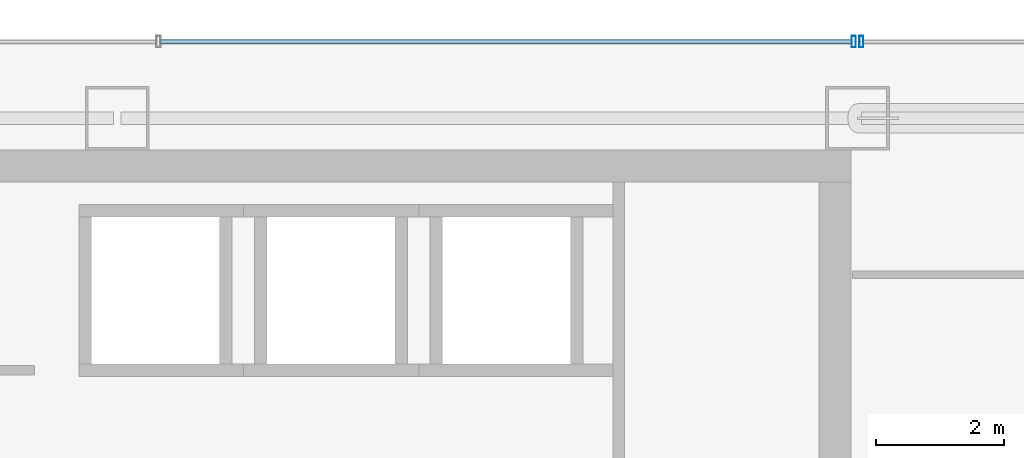
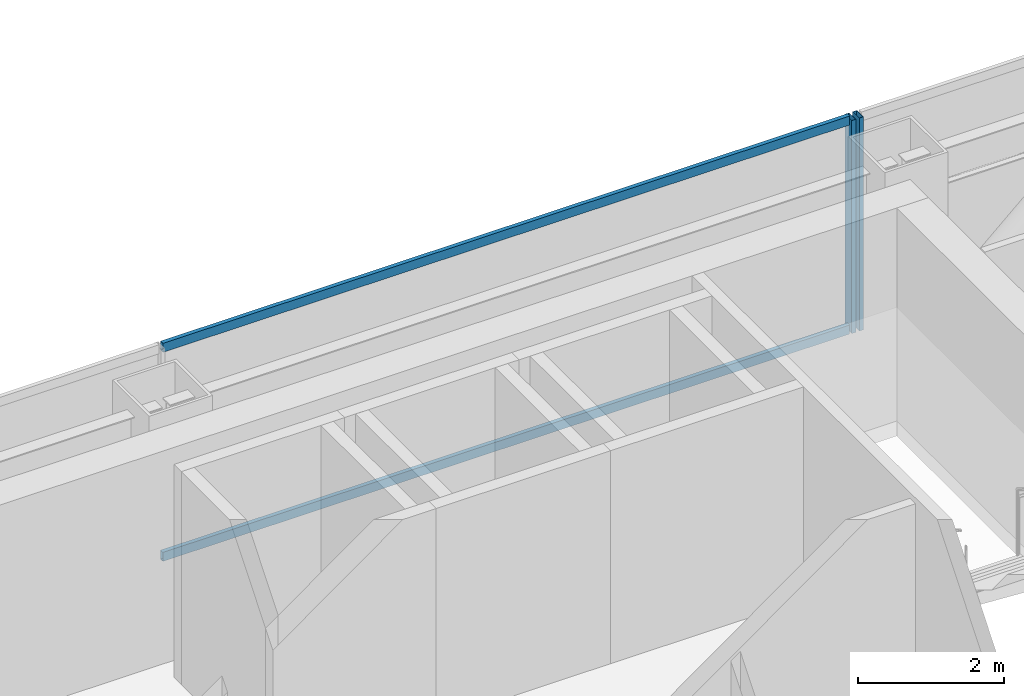
# One storey, part 27 of 37: 4 members, 2 elements without a shape of their own.
"""IFC4 building model written with IfcOpenShell, lengths in metres."""

import ifcopenshell
import ifcopenshell.guid

model = None  # the IFC model being written
_history = None  # IfcOwnerHistory: only IFC2X3 demands one
_inside = {}  # id of a spatial element -> (the spatial element, [elements in it])
_under = {}  # id of a project, library or spatial element -> (it, [spatial elements below it])
_declared = {}  # id of a project -> (the project, [libraries it declares])
_typed = {}  # id of a type object -> (the type object, [elements of that type])
_made_of = {}  # id of a material, layer set ... -> (it, [elements and type objects made of it])


def new_model(schema):
    """Start an empty IFC model of exactly this schema.

    Asked for "IFC4X3", IfcOpenShell would pick the latest addendum, in which some entities
    have other attributes; the version numbers below select the first issue.
    IFC2X3 requires an IfcOwnerHistory on every rooted entity: one is made here for all.
    """
    global model, _history
    if schema == "IFC4X3":
        model = ifcopenshell.file(schema_version=(4, 3, 0, 0))
    else:
        model = ifcopenshell.file(schema=schema)
    _inside.clear()
    _under.clear()
    _declared.clear()
    _typed.clear()
    _made_of.clear()
    _history = None
    if model.schema == "IFC2X3":
        org = make("IfcOrganization", Name="unknown")
        user = make(
            "IfcPersonAndOrganization",
            ThePerson=make("IfcPerson", FamilyName="unknown"),
            TheOrganization=org,
        )
        app = make(
            "IfcApplication",
            ApplicationDeveloper=org,
            Version="unknown",
            ApplicationFullName="unknown",
            ApplicationIdentifier="unknown",
        )
        _history = make(
            "IfcOwnerHistory",
            OwningUser=user,
            OwningApplication=app,
            ChangeAction="ADDED",
            CreationDate=0,
        )
    return model


def make(cls, **values):
    """One entity of the class cls with the attributes given. An attribute that is None is left unset."""
    return model.create_entity(
        cls, **{name: value for name, value in values.items() if value is not None}
    )


def rooted(cls, **values):
    """An entity with a GlobalId (a new one), such as an element, a storey or a relation."""
    return make(cls, GlobalId=ifcopenshell.guid.new(), OwnerHistory=_history, **values)


def si_unit(unit_type, name, prefix=None):
    """IfcSIUnit, for example si_unit("LENGTHUNIT", "METRE", prefix="MILLI")."""
    return make("IfcSIUnit", UnitType=unit_type, Prefix=prefix, Name=name)


def assignment(units):
    """IfcUnitAssignment: the units of a project."""
    return None if units is None else make("IfcUnitAssignment", Units=units)


def point(xyz):
    """IfcCartesianPoint."""
    return None if xyz is None else make("IfcCartesianPoint", Coordinates=xyz)


def direction(xyz):
    """IfcDirection."""
    return None if xyz is None else make("IfcDirection", DirectionRatios=xyz)


def frame(location, z_axis=None, x_axis=None):
    """IfcAxis2Placement3D, a coordinate frame: its origin and axes. An axis left out is left unset."""
    return make(
        "IfcAxis2Placement3D",
        Location=point(location),
        Axis=direction(z_axis),
        RefDirection=direction(x_axis),
    )


def frame_2d(location, x_axis=None):
    """IfcAxis2Placement2D, a coordinate frame in the plane: its origin and x axis."""
    return make(
        "IfcAxis2Placement2D", Location=point(location), RefDirection=direction(x_axis)
    )


def origin():
    """The frame at (0, 0, 0) with its axes left unset."""
    return frame((0.0, 0.0, 0.0))


def origin_2d():
    """The frame at (0, 0) in the plane with its x axis left unset."""
    return frame_2d((0.0, 0.0))


def place(relative_to, where):
    """IfcLocalPlacement: puts the frame where relative to a parent placement (None: the world)."""
    return make(
        "IfcLocalPlacement", PlacementRelTo=relative_to, RelativePlacement=where
    )


def context(
    kind, dimensions, precision=None, world=None, true_north=None, identifier=None
):
    """IfcGeometricRepresentationContext, for example the 3D "Model" context."""
    return make(
        "IfcGeometricRepresentationContext",
        ContextIdentifier=identifier,
        ContextType=kind,
        CoordinateSpaceDimension=dimensions,
        Precision=precision,
        WorldCoordinateSystem=world,
        TrueNorth=true_north,
    )


def subcontext(parent, identifier, kind, view, scale=None):
    """IfcGeometricRepresentationSubContext, for example "Body" below "Model"."""
    return make(
        "IfcGeometricRepresentationSubContext",
        ContextIdentifier=identifier,
        ContextType=kind,
        ParentContext=parent,
        TargetScale=scale,
        TargetView=view,
    )


def project(units=None, contexts=None):
    """IfcProject with its units and contexts."""
    return rooted(
        "IfcProject",
        Name="project",
        RepresentationContexts=contexts,
        UnitsInContext=assignment(units),
    )


def spatial(cls, under=None, at=None, **own):
    """A site, building, storey or space (cls), placed at a placement, below another one or the project."""
    s = rooted(cls, ObjectPlacement=at, **own)
    if under is not None:
        _under.setdefault(under.id(), (under, []))[1].append(s)
    return s


def profile(cls, at=None, kind="AREA", **sizes):
    """A parametric profile (cls). Its sizes go by their IFC names, for example OverallWidth=200.0."""
    return make(cls, ProfileType=kind, Position=at, **sizes)


def hollow_rectangle(**sizes):
    """IfcRectangleHollowProfileDef."""
    return profile("IfcRectangleHollowProfileDef", **sizes)


def extrude(swept, where, along, depth):
    """IfcExtrudedAreaSolid: the profile swept, set in the frame where, extruded along a direction by depth."""
    return make(
        "IfcExtrudedAreaSolid",
        SweptArea=swept,
        Position=where,
        ExtrudedDirection=direction(along),
        Depth=depth,
    )


def shape(context_of_items, identifier, shape_type, items):
    """IfcShapeRepresentation: the items that make up one representation, for example the "Body"."""
    return make(
        "IfcShapeRepresentation",
        ContextOfItems=context_of_items,
        RepresentationIdentifier=identifier,
        RepresentationType=shape_type,
        Items=items,
    )


def material(Name=None, Category=None):
    """IfcMaterial."""
    return make("IfcMaterial", Name=Name, Category=Category)


def material_profile(
    of_material, cross_section, Name=None, Category=None, Priority=None
):
    """IfcMaterialProfile: a cross section and its material."""
    return make(
        "IfcMaterialProfile",
        Name=Name,
        Material=of_material,
        Profile=cross_section,
        Priority=Priority,
        Category=Category,
    )


def profile_set(profiles, Name=None, composite=None):
    """IfcMaterialProfileSet."""
    return make(
        "IfcMaterialProfileSet",
        Name=Name,
        MaterialProfiles=profiles,
        CompositeProfile=composite,
    )


def made_of(thing, what):
    """Note that an element or type object is made of a material, layer set ...; save() writes the relation."""
    if what is not None:
        _made_of.setdefault(what.id(), (what, []))[1].append(thing)
    return thing


def type_object(cls, material=None, **own):
    """A type object (cls), such as IfcWallType, which elements share."""
    return made_of(rooted(cls, **own), material)


def element(
    cls,
    number,
    at=None,
    inside=None,
    cuts=None,
    type_object=None,
    material=None,
    context=None,
    identifier="Body",
    shape_type=None,
    held_by="IfcProductDefinitionShape",
    body=None,
    shapes=None,
    **own,
):
    """One element of the class cls, such as IfcWall. Its Tag is "e" and its number.

    at: its placement. inside: the storey or other place that contains it. cuts: it is an
    opening in that element (IfcRelVoidsElement). A single representation is given by context,
    identifier, shape_type and body (its items); several are given by shapes. held_by: the class
    of the entity that holds the representations. save() writes the other relations.
    """
    e = rooted(cls, Tag="e%d" % number, ObjectPlacement=at, **own)
    if body is not None:
        shapes = [shape(context, identifier, shape_type, body)]
    if shapes is not None:
        e.Representation = make(held_by, Representations=shapes)
    if inside is not None:
        _inside.setdefault(inside.id(), (inside, []))[1].append(e)
    if cuts is not None:
        rooted(
            "IfcRelVoidsElement", RelatingBuildingElement=cuts, RelatedOpeningElement=e
        )
    if type_object is not None:
        _typed.setdefault(type_object.id(), (type_object, []))[1].append(e)
    return made_of(e, material)


def aggregate(whole, parts):
    """IfcRelAggregates: a whole, such as a stair, and the parts it consists of."""
    return rooted("IfcRelAggregates", RelatingObject=whole, RelatedObjects=parts)


def save(model, path):
    """Write the relations noted so far, then the file.

    IfcRelAggregates (storeys below a building ...), IfcRelContainedInSpatialStructure (elements
    in a storey), IfcRelDefinesByType, IfcRelAssociatesMaterial and IfcRelDeclares: one each for
    every whole, place, type object, material and project.
    """
    for whole, parts in _under.values():
        aggregate(whole, parts)
    for where, things in _inside.values():
        rooted(
            "IfcRelContainedInSpatialStructure",
            RelatedElements=things,
            RelatingStructure=where,
        )
    for kind, things in _typed.values():
        rooted("IfcRelDefinesByType", RelatedObjects=things, RelatingType=kind)
    for what, things in _made_of.values():
        rooted("IfcRelAssociatesMaterial", RelatedObjects=things, RelatingMaterial=what)
    for by, libraries in _declared.values():
        rooted("IfcRelDeclares", RelatingContext=by, RelatedDefinitions=libraries)
    model.write(path)


model = new_model("IFC4")

# Units and contexts
model_context = context("Model", 3, precision=1e-05, world=origin(), true_north=direction((0.0, 1.0)))
body_context = subcontext(model_context, "Body", "Model", "MODEL_VIEW")
ifc_project = project(units=[si_unit("LENGTHUNIT", "METRE"), si_unit("AREAUNIT", "SQUARE_METRE"), si_unit("VOLUMEUNIT", "CUBIC_METRE"), si_unit("PLANEANGLEUNIT", "RADIAN"), si_unit("MASSUNIT", "GRAM", prefix="KILO")], contexts=[model_context])

# Site, building, storey
site_placement = place(None, origin())
site = spatial("IfcSite", under=ifc_project, at=site_placement, CompositionType="ELEMENT")
building_placement = place(site_placement, origin())
building = spatial("IfcBuilding", under=site, at=building_placement, Name="Saevonmaru Cultural Tower", CompositionType="ELEMENT")
storey_placement = place(building_placement, frame((0.0, 0.0, 141.0)))
storey = spatial("IfcBuildingStorey", under=building, at=storey_placement, Name="L30", CompositionType="ELEMENT", Elevation=141.0)

# Curtain wall, member
ifc_material = material(Name="Satin Bronze Anodised Aluminium", Category="aluminium")
curtain_wall_type = type_object("IfcCurtainWallType", Name="CW-TYP-A", PredefinedType="NOTDEFINED", material=ifc_material)
curtain_wall_1_placement = place(storey_placement, origin())
curtain_wall_1 = element("IfcCurtainWall", 1, at=curtain_wall_1_placement, inside=storey, type_object=curtain_wall_type, Name="L30 East Braced Bay Spandrel Curtain Wall E10A", PredefinedType="NOTDEFINED")
ifc_material_profile_1 = material_profile(ifc_material, hollow_rectangle(XDim=0.06494140625, YDim=0.179931640625, WallThickness=0.00390625, at=origin_2d()), Name="ALU-MULL-180x65x4")
ifc_profile_set_1 = profile_set([ifc_material_profile_1], Name="Satin Bronze Anodised Aluminium")
member_type_1 = type_object("IfcMemberType", Name="ML-CW-180x65", PredefinedType="MULLION", material=ifc_profile_set_1)
member_1_placement = place(storey_placement, frame((46.4599609375, 56.0, 0.0), z_axis=(0.0, 0.0, 1.0), x_axis=(-1.0, 0.0, 0.0)))
member_1 = element("IfcMember", 2, at=member_1_placement, type_object=member_type_1, Name="CW-TW-L30-E10A mullion 2", PredefinedType="MULLION", context=body_context, shape_type="SweptSolid", body=[
    extrude(hollow_rectangle(XDim=0.06494140625, YDim=0.179931640625, WallThickness=0.00390625, at=origin_2d()), origin(), (0.0, 0.0, 1.0), 3.550048828125),
])
aggregate(curtain_wall_1, [member_1])

# Curtain wall, members
curtain_wall_2_placement = place(storey_placement, origin())
curtain_wall_2 = element("IfcCurtainWall", 3, at=curtain_wall_2_placement, inside=storey, type_object=curtain_wall_type, Name="L30 North Spine Unitised Curtain Wall E10B", PredefinedType="NOTDEFINED")
member_2_placement = place(storey_placement, frame((46.340087890625, 56.0, 0.0), z_axis=(0.0, 0.0, 1.0), x_axis=(-1.0, 0.0, 0.0)))
member_2 = element("IfcMember", 4, at=member_2_placement, type_object=member_type_1, Name="CW-TW-L30-E10B mullion 1", PredefinedType="MULLION", context=body_context, shape_type="SweptSolid", body=[
    extrude(hollow_rectangle(XDim=0.06494140625, YDim=0.179931640625, WallThickness=0.00390625, at=origin_2d()), origin(), (0.0, 0.0, 1.0), 3.550048828125),
])
ifc_material_profile_2 = material_profile(ifc_material, hollow_rectangle(XDim=0.06494140625, YDim=0.14990234375, WallThickness=0.00390625, at=origin_2d()), Name="ALU-TRAN-150x65x4")
ifc_profile_set_2 = profile_set([ifc_material_profile_2], Name="Satin Bronze Anodised Aluminium")
member_type_2 = type_object("IfcMemberType", Name="TR-CW-150x65", PredefinedType="USERDEFINED", material=ifc_profile_set_2)
member_3_placement = place(storey_placement, frame((46.3076171875, 56.0, 0.032470703125), z_axis=(-1.0, 0.0, 0.0), x_axis=(0.0, -1.0, 0.0)))
member_3 = element("IfcMember", 5, at=member_3_placement, type_object=member_type_2, Name="CW-TW-L30-E10B transom 1.1", ObjectType="TRANSOM", PredefinedType="USERDEFINED", context=body_context, shape_type="SweptSolid", body=[
    extrude(hollow_rectangle(XDim=0.06494140625, YDim=0.14990234375, WallThickness=0.00390625, at=origin_2d()), origin(), (0.0, 0.0, 1.0), 10.828369140625),
])
member_4_placement = place(storey_placement, frame((46.3076171875, 56.0, 3.517578125), z_axis=(-1.0, 0.0, 0.0), x_axis=(0.0, -1.0, 0.0)))
member_4 = element("IfcMember", 6, at=member_4_placement, type_object=member_type_2, Name="CW-TW-L30-E10B transom 1.2", ObjectType="TRANSOM", PredefinedType="USERDEFINED", context=body_context, shape_type="SweptSolid", body=[
    extrude(hollow_rectangle(XDim=0.06494140625, YDim=0.14990234375, WallThickness=0.00390625, at=origin_2d()), origin(), (0.0, 0.0, 1.0), 10.828369140625),
])
aggregate(curtain_wall_2, [member_2, member_3, member_4])

save(model, "model.ifc")
